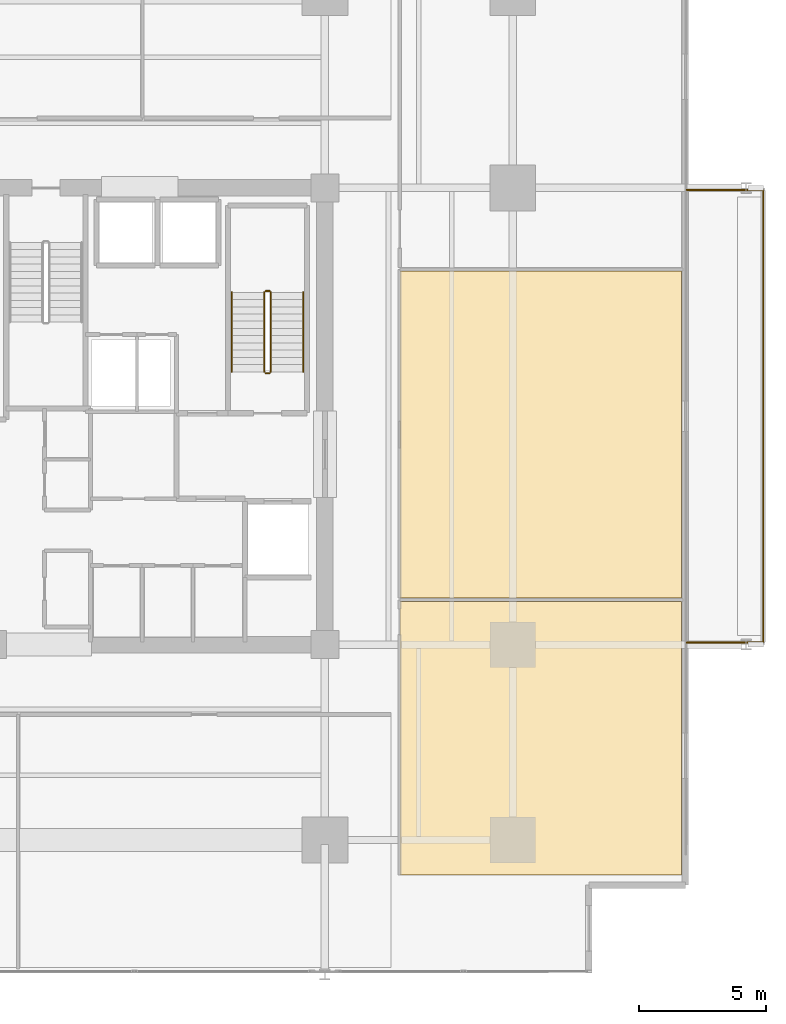
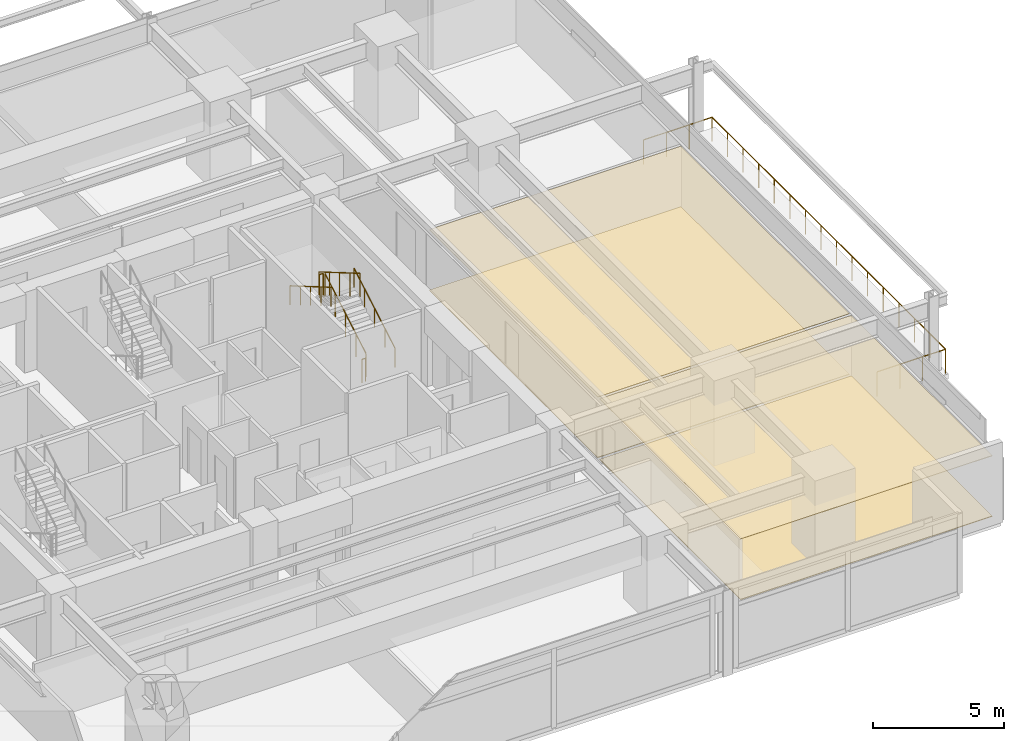
# One storey, part 19 of 20: 7 railings, 4 coverings.
"""IFC4 building model written with IfcOpenShell, lengths in metres."""

from ifc_helpers import new_model, si_unit, direction, frame, origin, origin_2d, place, context, subcontext, project, spatial, polyline, circle, outline, extrude, material, layer, layer_set, type_object, element, save


model = new_model("IFC4")

# Units and contexts
model_context = context("Model", 3, precision=1e-05, world=origin(), true_north=direction((0.0, 1.0)))
body_context = subcontext(model_context, "Body", "Model", "MODEL_VIEW")
ifc_project = project(units=[si_unit("LENGTHUNIT", "METRE"), si_unit("AREAUNIT", "SQUARE_METRE"), si_unit("VOLUMEUNIT", "CUBIC_METRE"), si_unit("PLANEANGLEUNIT", "RADIAN"), si_unit("MASSUNIT", "GRAM", prefix="KILO")], contexts=[model_context])

# Site, building, storey
site_placement = place(None, origin())
site = spatial("IfcSite", under=ifc_project, at=site_placement, CompositionType="ELEMENT")
building_placement = place(site_placement, origin())
building = spatial("IfcBuilding", under=site, at=building_placement, Name="Kovane Verandah Tower", CompositionType="ELEMENT")
storey_placement = place(building_placement, frame((0.0, 0.0, 39.60009765625)))
storey = spatial("IfcBuildingStorey", under=building, at=storey_placement, Name="L08", CompositionType="ELEMENT", Elevation=39.60009765625)

# Coverings
ifc_material_1 = material(Name="Perforated Acoustic Mineral-Fibre Ceiling Tile", Category="gypsum")
ifc_layer_1 = layer(ifc_material_1, 0.02490234375)
ifc_layer_set_1 = layer_set([ifc_layer_1], Name="Perforated Acoustic Mineral-Fibre Ceiling Tile")
covering_type_1 = type_object("IfcCoveringType", Name="CV-CEIL-25", PredefinedType="CEILING", material=ifc_layer_set_1)
covering_1_placement = place(storey_placement, frame((0.0, 0.0, 2.824951171875)))
element("IfcCovering", 1, at=covering_1_placement, inside=storey, type_object=covering_type_1, Name="L08 Open Plan Office E1 Acoustic Ceiling", PredefinedType="CEILING", context=body_context, shape_type="SweptSolid", body=[
    extrude(outline(polyline([(53.949951171875, 9.417724609375), (65.05322265625, 9.417724609375), (65.05322265625, 20.197021484375), (53.949951171875, 20.197021484375), (53.949951171875, 9.417724609375)])), origin(), (0.0, 0.0, 1.0), 0.02490234375),
])
covering_2_placement = place(storey_placement, frame((0.0, 0.0, 2.824951171875)))
element("IfcCovering", 2, at=covering_2_placement, inside=storey, type_object=covering_type_1, Name="L08 Executive Office E2 Acoustic Ceiling", PredefinedType="CEILING", context=body_context, shape_type="SweptSolid", body=[
    extrude(outline(polyline([(53.949951171875, 20.337158203125), (65.05322265625, 20.337158203125), (65.05322265625, 33.21630859375), (53.949951171875, 33.21630859375), (53.949951171875, 20.337158203125)])), origin(), (0.0, 0.0, 1.0), 0.02490234375),
])
ifc_material_2 = material(Name="Polished Terrazzo and Raised-Access Carpet Tile Finish", Category="concrete")
ifc_layer_2 = layer(ifc_material_2, 0.030029296875)
ifc_layer_set_2 = layer_set([ifc_layer_2], Name="Polished Terrazzo and Raised-Access Carpet Tile Finish")
covering_type_2 = type_object("IfcCoveringType", Name="CV-FLOR-30", PredefinedType="FLOORING", material=ifc_layer_set_2)
covering_3_placement = place(storey_placement, origin())
element("IfcCovering", 3, at=covering_3_placement, inside=storey, type_object=covering_type_2, Name="L08 Open Plan Office E1 Floor Finish", PredefinedType="FLOORING", context=body_context, shape_type="SweptSolid", body=[
    extrude(outline(polyline([(53.949951171875, 9.417724609375), (65.05322265625, 9.417724609375), (65.05322265625, 20.197021484375), (53.949951171875, 20.197021484375), (53.949951171875, 9.417724609375)])), origin(), (0.0, 0.0, 1.0), 0.02978515625),
])
covering_4_placement = place(storey_placement, origin())
element("IfcCovering", 4, at=covering_4_placement, inside=storey, type_object=covering_type_2, Name="L08 Executive Office E2 Floor Finish", PredefinedType="FLOORING", context=body_context, shape_type="SweptSolid", body=[
    extrude(outline(polyline([(53.949951171875, 20.337158203125), (65.05322265625, 20.337158203125), (65.05322265625, 33.21630859375), (53.949951171875, 33.21630859375), (53.949951171875, 20.337158203125)])), origin(), (0.0, 0.0, 1.0), 0.02978515625),
])

# Railings
ifc_material_3 = material(Name="Laminated Glass and Pale-Champagne Stainless Balustrade", Category="glass")
railing_type_1 = type_object("IfcRailingType", Name="RL-BAL-1150", PredefinedType="BALUSTRADE", material=ifc_material_3)
railing_1_placement = place(storey_placement, frame((65.253173828125, 18.580078125, 0.0)))
element("IfcRailing", 5, at=railing_1_placement, inside=storey, type_object=railing_type_1, Name="L08 E Verandah Glass Balustrade", PredefinedType="BALUSTRADE", context=body_context, shape_type="SweptSolid", body=[
    extrude(circle(Radius=0.02392578125, at=origin_2d()), frame((0.0, 0.0, 1.1259765625), z_axis=(1.0, 0.0, 0.0), x_axis=(0.0, 1.0, 0.0)), (0.0, 0.0, 1.0), 3.02001953125),
    extrude(circle(Radius=0.02392578125, at=origin_2d()), frame((3.02001953125, 0.0, 1.1259765625), z_axis=(0.0, 1.0, 0.0), x_axis=(-1.0, 0.0, 0.0)), (0.0, 0.0, 1.0), 17.83984375),
    extrude(circle(Radius=0.02392578125, at=origin_2d()), frame((3.02001953125, 17.83984375, 1.1259765625), z_axis=(-1.0, 0.0, 0.0), x_axis=(0.0, -1.0, 0.0)), (0.0, 0.0, 1.0), 3.02001953125),
    extrude(circle(Radius=0.02099609375, at=origin_2d()), origin(), (0.0, 0.0, 1.0), 1.101806640625),
    extrude(circle(Radius=0.02099609375, at=origin_2d()), frame((1.006591796875, 0.0, 0.0)), (0.0, 0.0, 1.0), 1.101806640625),
    extrude(circle(Radius=0.02099609375, at=origin_2d()), frame((2.013427734375, 0.0, 0.0)), (0.0, 0.0, 1.0), 1.101806640625),
    extrude(circle(Radius=0.02099609375, at=origin_2d()), frame((3.02001953125, 0.0, 0.0)), (0.0, 0.0, 1.0), 1.101806640625),
    extrude(circle(Radius=0.02099609375, at=origin_2d()), frame((3.02001953125, 1.189208984375, 0.0)), (0.0, 0.0, 1.0), 1.101806640625),
    extrude(circle(Radius=0.02099609375, at=origin_2d()), frame((3.02001953125, 2.378662109375, 0.0)), (0.0, 0.0, 1.0), 1.101806640625),
    extrude(circle(Radius=0.02099609375, at=origin_2d()), frame((3.02001953125, 3.56787109375, 0.0)), (0.0, 0.0, 1.0), 1.101806640625),
    extrude(circle(Radius=0.02099609375, at=origin_2d()), frame((3.02001953125, 4.75732421875, 0.0)), (0.0, 0.0, 1.0), 1.101806640625),
    extrude(circle(Radius=0.02099609375, at=origin_2d()), frame((3.02001953125, 5.946533203125, 0.0)), (0.0, 0.0, 1.0), 1.101806640625),
    extrude(circle(Radius=0.02099609375, at=origin_2d()), frame((3.02001953125, 7.135986328125, 0.0)), (0.0, 0.0, 1.0), 1.101806640625),
    extrude(circle(Radius=0.02099609375, at=origin_2d()), frame((3.02001953125, 8.3251953125, 0.0)), (0.0, 0.0, 1.0), 1.101806640625),
    extrude(circle(Radius=0.02099609375, at=origin_2d()), frame((3.02001953125, 9.5146484375, 0.0)), (0.0, 0.0, 1.0), 1.101806640625),
    extrude(circle(Radius=0.02099609375, at=origin_2d()), frame((3.02001953125, 10.703857421875, 0.0)), (0.0, 0.0, 1.0), 1.101806640625),
    extrude(circle(Radius=0.02099609375, at=origin_2d()), frame((3.02001953125, 11.893310546875, 0.0)), (0.0, 0.0, 1.0), 1.101806640625),
    extrude(circle(Radius=0.02099609375, at=origin_2d()), frame((3.02001953125, 13.08251953125, 0.0)), (0.0, 0.0, 1.0), 1.101806640625),
    extrude(circle(Radius=0.02099609375, at=origin_2d()), frame((3.02001953125, 14.27197265625, 0.0)), (0.0, 0.0, 1.0), 1.101806640625),
    extrude(circle(Radius=0.02099609375, at=origin_2d()), frame((3.02001953125, 15.461181640625, 0.0)), (0.0, 0.0, 1.0), 1.101806640625),
    extrude(circle(Radius=0.02099609375, at=origin_2d()), frame((3.02001953125, 16.650634765625, 0.0)), (0.0, 0.0, 1.0), 1.101806640625),
    extrude(circle(Radius=0.02099609375, at=origin_2d()), frame((3.02001953125, 17.83984375, 0.0)), (0.0, 0.0, 1.0), 1.101806640625),
    extrude(circle(Radius=0.02099609375, at=origin_2d()), frame((2.013427734375, 17.83984375, 0.0)), (0.0, 0.0, 1.0), 1.101806640625),
    extrude(circle(Radius=0.02099609375, at=origin_2d()), frame((1.006591796875, 17.83984375, 0.0)), (0.0, 0.0, 1.0), 1.101806640625),
    extrude(circle(Radius=0.02099609375, at=origin_2d()), frame((0.0, 17.83984375, 0.0)), (0.0, 0.0, 1.0), 1.101806640625),
])
ifc_material_4 = material(Name="Brushed Stainless Steel Handrail", Category="steel")
railing_type_2 = type_object("IfcRailingType", Name="RL-HAND-920", PredefinedType="HANDRAIL", material=ifc_material_4)
railing_2_placement = place(storey_placement, frame((50.14990234375, 29.25, 0.16650390625)))
element("IfcRailing", 6, at=railing_2_placement, inside=storey, type_object=railing_type_2, Name="L08 ST-02 stair handrail 1", PredefinedType="HANDRAIL", context=body_context, shape_type="SweptSolid", body=[
    extrude(circle(Radius=0.02392578125, at=origin_2d()), frame((0.0, 0.0, 0.8759765625), z_axis=(0.0, 0.863210265497, 0.504844567704), x_axis=(-1.0, 0.0, 0.0)), (0.0, 0.0, 1.0), 3.6318359375),
    extrude(circle(Radius=0.02099609375, at=origin_2d()), origin(), (0.0, 0.0, 1.0), 0.851806640625),
    extrude(circle(Radius=0.02099609375, at=origin_2d()), frame((0.0, 0.78369140625, 0.45849609375)), (0.0, 0.0, 1.0), 0.851806640625),
    extrude(circle(Radius=0.02099609375, at=origin_2d()), frame((0.0, 1.5673828125, 0.916748046875)), (0.0, 0.0, 1.0), 0.851806640625),
    extrude(circle(Radius=0.02099609375, at=origin_2d()), frame((0.0, 2.351318359375, 1.375)), (0.0, 0.0, 1.0), 0.851806640625),
    extrude(circle(Radius=0.02099609375, at=origin_2d()), frame((0.0, 3.135009765625, 1.83349609375)), (0.0, 0.0, 1.0), 0.851806640625),
])
railing_3_placement = place(storey_placement, frame((47.330078125, 32.385009765625, 2.16650390625)))
element("IfcRailing", 7, at=railing_3_placement, inside=storey, type_object=railing_type_2, Name="L08 ST-02 stair handrail 2", PredefinedType="HANDRAIL", context=body_context, shape_type="SweptSolid", body=[
    extrude(circle(Radius=0.02392578125, at=origin_2d()), frame((0.0, 0.0, 0.8759765625), z_axis=(0.0, -0.863210265497, 0.504844567704), x_axis=(1.0, 0.0, 0.0)), (0.0, 0.0, 1.0), 3.6318359375),
    extrude(circle(Radius=0.02099609375, at=origin_2d()), origin(), (0.0, 0.0, 1.0), 0.851806640625),
    extrude(circle(Radius=0.02099609375, at=origin_2d()), frame((0.0, -0.78369140625, 0.45849609375)), (0.0, 0.0, 1.0), 0.851806640625),
    extrude(circle(Radius=0.02099609375, at=origin_2d()), frame((0.0, -1.5673828125, 0.916748046875)), (0.0, 0.0, 1.0), 0.851806640625),
    extrude(circle(Radius=0.02099609375, at=origin_2d()), frame((0.0, -2.351318359375, 1.375)), (0.0, 0.0, 1.0), 0.851806640625),
    extrude(circle(Radius=0.02099609375, at=origin_2d()), frame((0.0, -3.135009765625, 1.83349609375)), (0.0, 0.0, 1.0), 0.851806640625),
])
ifc_material_5 = material(Name="Painted Steel Stairwell Guardrail", Category="steel")
railing_type_3 = type_object("IfcRailingType", Name="RL-STGUARD-1120", PredefinedType="GUARDRAIL", material=ifc_material_5)
railing_4_placement = place(storey_placement, frame((48.8701171875, 29.25, 0.16650390625)))
element("IfcRailing", 8, at=railing_4_placement, inside=storey, type_object=railing_type_3, Name="L08 ST-02 stair guard 1", PredefinedType="GUARDRAIL", context=body_context, shape_type="SweptSolid", body=[
    extrude(circle(Radius=0.02392578125, at=origin_2d()), frame((0.0, 0.0, 1.076171875), z_axis=(0.0, 0.863210265497, 0.504844567704), x_axis=(-1.0, 0.0, 0.0)), (0.0, 0.0, 1.0), 3.6318359375),
    extrude(circle(Radius=0.02099609375, at=origin_2d()), origin(), (0.0, 0.0, 1.0), 1.052001953125),
    extrude(circle(Radius=0.02099609375, at=origin_2d()), frame((0.0, 0.78369140625, 0.45849609375)), (0.0, 0.0, 1.0), 1.052001953125),
    extrude(circle(Radius=0.02099609375, at=origin_2d()), frame((0.0, 1.5673828125, 0.916748046875)), (0.0, 0.0, 1.0), 1.052001953125),
    extrude(circle(Radius=0.02099609375, at=origin_2d()), frame((0.0, 2.351318359375, 1.375)), (0.0, 0.0, 1.0), 1.052001953125),
    extrude(circle(Radius=0.02099609375, at=origin_2d()), frame((0.0, 3.135009765625, 1.83349609375)), (0.0, 0.0, 1.0), 1.052001953125),
])
railing_5_placement = place(storey_placement, frame((48.820068359375, 32.43505859375, 2.0)))
element("IfcRailing", 9, at=railing_5_placement, inside=storey, type_object=railing_type_3, Name="L08 ST-02 stair guard 2", PredefinedType="GUARDRAIL", context=body_context, shape_type="SweptSolid", body=[
    extrude(circle(Radius=0.02392578125, at=origin_2d()), frame((0.0, 0.0, 1.076171875), z_axis=(-1.0, 0.0, 0.0), x_axis=(0.0, -1.0, 0.0)), (0.0, 0.0, 1.0), 0.16015625),
    extrude(circle(Radius=0.02099609375, at=origin_2d()), origin(), (0.0, 0.0, 1.0), 1.052001953125),
    extrude(circle(Radius=0.02099609375, at=origin_2d()), frame((-0.16015625, 0.0, 0.0)), (0.0, 0.0, 1.0), 1.052001953125),
])
railing_6_placement = place(storey_placement, frame((48.610107421875, 32.385009765625, 2.16650390625)))
element("IfcRailing", 10, at=railing_6_placement, inside=storey, type_object=railing_type_3, Name="L08 ST-02 stair guard 3", PredefinedType="GUARDRAIL", context=body_context, shape_type="SweptSolid", body=[
    extrude(circle(Radius=0.02392578125, at=origin_2d()), frame((0.0, 0.0, 1.076171875), z_axis=(0.0, -0.863210265497, 0.504844567704), x_axis=(1.0, 0.0, 0.0)), (0.0, 0.0, 1.0), 3.6318359375),
    extrude(circle(Radius=0.02099609375, at=origin_2d()), origin(), (0.0, 0.0, 1.0), 1.052001953125),
    extrude(circle(Radius=0.02099609375, at=origin_2d()), frame((0.0, -0.78369140625, 0.45849609375)), (0.0, 0.0, 1.0), 1.052001953125),
    extrude(circle(Radius=0.02099609375, at=origin_2d()), frame((0.0, -1.5673828125, 0.916748046875)), (0.0, 0.0, 1.0), 1.052001953125),
    extrude(circle(Radius=0.02099609375, at=origin_2d()), frame((0.0, -2.351318359375, 1.375)), (0.0, 0.0, 1.0), 1.052001953125),
    extrude(circle(Radius=0.02099609375, at=origin_2d()), frame((0.0, -3.135009765625, 1.83349609375)), (0.0, 0.0, 1.0), 1.052001953125),
])
railing_7_placement = place(storey_placement, frame((48.820068359375, 29.199951171875, 0.0)))
element("IfcRailing", 11, at=railing_7_placement, inside=storey, type_object=railing_type_3, Name="L08 ST-02 stair guard 4", PredefinedType="GUARDRAIL", context=body_context, shape_type="SweptSolid", body=[
    extrude(circle(Radius=0.02392578125, at=origin_2d()), frame((0.0, 0.0, 1.076171875), z_axis=(-1.0, 0.0, 0.0), x_axis=(0.0, -1.0, 0.0)), (0.0, 0.0, 1.0), 0.16015625),
    extrude(circle(Radius=0.02099609375, at=origin_2d()), origin(), (0.0, 0.0, 1.0), 1.052001953125),
    extrude(circle(Radius=0.02099609375, at=origin_2d()), frame((-0.16015625, 0.0, 0.0)), (0.0, 0.0, 1.0), 1.052001953125),
])

save(model, "model.ifc")
